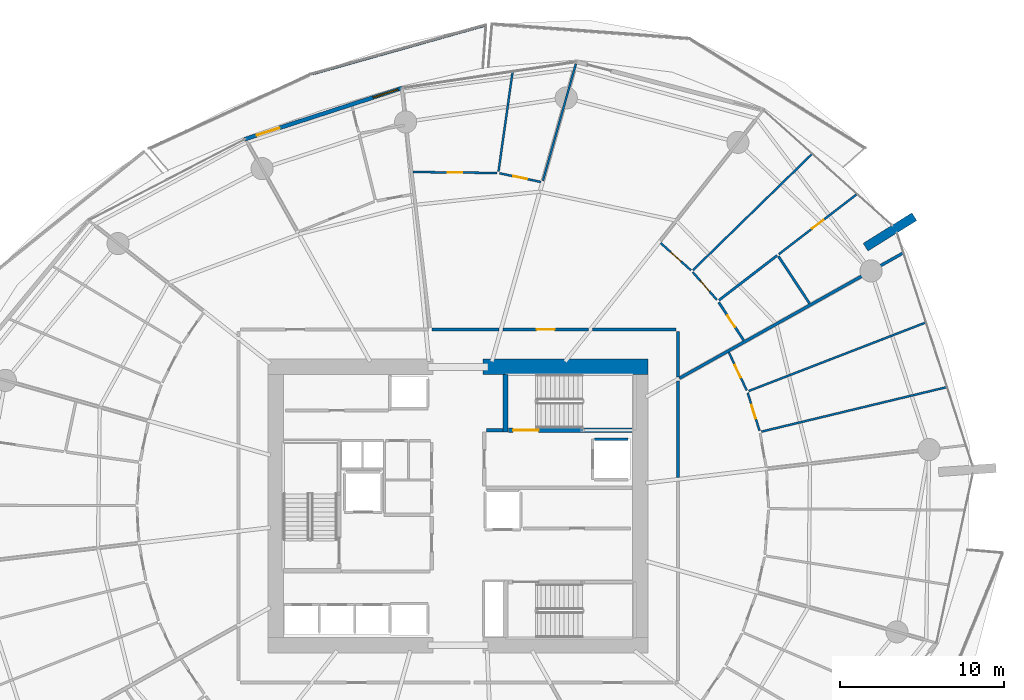
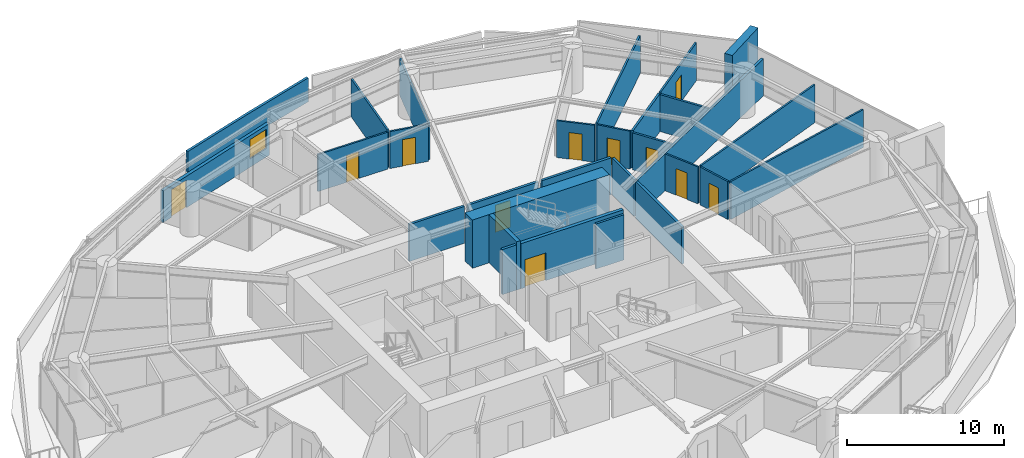
# One storey, part 24 of 32: 29 walls, 11 doors, 1 window, 12 openings.
"""IFC4 building model written with IfcOpenShell, lengths in metres."""

import ifcopenshell
import ifcopenshell.guid

model = None  # the IFC model being written
_history = None  # IfcOwnerHistory: only IFC2X3 demands one
_inside = {}  # id of a spatial element -> (the spatial element, [elements in it])
_under = {}  # id of a project, library or spatial element -> (it, [spatial elements below it])
_declared = {}  # id of a project -> (the project, [libraries it declares])
_typed = {}  # id of a type object -> (the type object, [elements of that type])
_made_of = {}  # id of a material, layer set ... -> (it, [elements and type objects made of it])


def new_model(schema):
    """Start an empty IFC model of exactly this schema.

    Asked for "IFC4X3", IfcOpenShell would pick the latest addendum, in which some entities
    have other attributes; the version numbers below select the first issue.
    IFC2X3 requires an IfcOwnerHistory on every rooted entity: one is made here for all.
    """
    global model, _history
    if schema == "IFC4X3":
        model = ifcopenshell.file(schema_version=(4, 3, 0, 0))
    else:
        model = ifcopenshell.file(schema=schema)
    _inside.clear()
    _under.clear()
    _declared.clear()
    _typed.clear()
    _made_of.clear()
    _history = None
    if model.schema == "IFC2X3":
        org = make("IfcOrganization", Name="unknown")
        user = make(
            "IfcPersonAndOrganization",
            ThePerson=make("IfcPerson", FamilyName="unknown"),
            TheOrganization=org,
        )
        app = make(
            "IfcApplication",
            ApplicationDeveloper=org,
            Version="unknown",
            ApplicationFullName="unknown",
            ApplicationIdentifier="unknown",
        )
        _history = make(
            "IfcOwnerHistory",
            OwningUser=user,
            OwningApplication=app,
            ChangeAction="ADDED",
            CreationDate=0,
        )
    return model


def make(cls, **values):
    """One entity of the class cls with the attributes given. An attribute that is None is left unset."""
    return model.create_entity(
        cls, **{name: value for name, value in values.items() if value is not None}
    )


def rooted(cls, **values):
    """An entity with a GlobalId (a new one), such as an element, a storey or a relation."""
    return make(cls, GlobalId=ifcopenshell.guid.new(), OwnerHistory=_history, **values)


def si_unit(unit_type, name, prefix=None):
    """IfcSIUnit, for example si_unit("LENGTHUNIT", "METRE", prefix="MILLI")."""
    return make("IfcSIUnit", UnitType=unit_type, Prefix=prefix, Name=name)


def assignment(units):
    """IfcUnitAssignment: the units of a project."""
    return None if units is None else make("IfcUnitAssignment", Units=units)


def point(xyz):
    """IfcCartesianPoint."""
    return None if xyz is None else make("IfcCartesianPoint", Coordinates=xyz)


def direction(xyz):
    """IfcDirection."""
    return None if xyz is None else make("IfcDirection", DirectionRatios=xyz)


def frame(location, z_axis=None, x_axis=None):
    """IfcAxis2Placement3D, a coordinate frame: its origin and axes. An axis left out is left unset."""
    return make(
        "IfcAxis2Placement3D",
        Location=point(location),
        Axis=direction(z_axis),
        RefDirection=direction(x_axis),
    )


def frame_2d(location, x_axis=None):
    """IfcAxis2Placement2D, a coordinate frame in the plane: its origin and x axis."""
    return make(
        "IfcAxis2Placement2D", Location=point(location), RefDirection=direction(x_axis)
    )


def origin():
    """The frame at (0, 0, 0) with its axes left unset."""
    return frame((0.0, 0.0, 0.0))


def place(relative_to, where):
    """IfcLocalPlacement: puts the frame where relative to a parent placement (None: the world)."""
    return make(
        "IfcLocalPlacement", PlacementRelTo=relative_to, RelativePlacement=where
    )


def context(
    kind, dimensions, precision=None, world=None, true_north=None, identifier=None
):
    """IfcGeometricRepresentationContext, for example the 3D "Model" context."""
    return make(
        "IfcGeometricRepresentationContext",
        ContextIdentifier=identifier,
        ContextType=kind,
        CoordinateSpaceDimension=dimensions,
        Precision=precision,
        WorldCoordinateSystem=world,
        TrueNorth=true_north,
    )


def subcontext(parent, identifier, kind, view, scale=None):
    """IfcGeometricRepresentationSubContext, for example "Body" below "Model"."""
    return make(
        "IfcGeometricRepresentationSubContext",
        ContextIdentifier=identifier,
        ContextType=kind,
        ParentContext=parent,
        TargetScale=scale,
        TargetView=view,
    )


def project(units=None, contexts=None):
    """IfcProject with its units and contexts."""
    return rooted(
        "IfcProject",
        Name="project",
        RepresentationContexts=contexts,
        UnitsInContext=assignment(units),
    )


def spatial(cls, under=None, at=None, **own):
    """A site, building, storey or space (cls), placed at a placement, below another one or the project."""
    s = rooted(cls, ObjectPlacement=at, **own)
    if under is not None:
        _under.setdefault(under.id(), (under, []))[1].append(s)
    return s


def polyline(points):
    """IfcPolyline through the points."""
    return make("IfcPolyline", Points=[point(p) for p in points])


def profile(cls, at=None, kind="AREA", **sizes):
    """A parametric profile (cls). Its sizes go by their IFC names, for example OverallWidth=200.0."""
    return make(cls, ProfileType=kind, Position=at, **sizes)


def rectangle(**sizes):
    """IfcRectangleProfileDef."""
    return profile("IfcRectangleProfileDef", **sizes)


def outline(outer, holes=None, kind="AREA"):
    """IfcArbitraryClosedProfileDef: a profile drawn as a closed curve; with holes, ...WithVoids."""
    if holes is None:
        return make("IfcArbitraryClosedProfileDef", ProfileType=kind, OuterCurve=outer)
    return make(
        "IfcArbitraryProfileDefWithVoids",
        ProfileType=kind,
        OuterCurve=outer,
        InnerCurves=holes,
    )


def extrude(swept, where, along, depth):
    """IfcExtrudedAreaSolid: the profile swept, set in the frame where, extruded along a direction by depth."""
    return make(
        "IfcExtrudedAreaSolid",
        SweptArea=swept,
        Position=where,
        ExtrudedDirection=direction(along),
        Depth=depth,
    )


def shape(context_of_items, identifier, shape_type, items):
    """IfcShapeRepresentation: the items that make up one representation, for example the "Body"."""
    return make(
        "IfcShapeRepresentation",
        ContextOfItems=context_of_items,
        RepresentationIdentifier=identifier,
        RepresentationType=shape_type,
        Items=items,
    )


def material(Name=None, Category=None):
    """IfcMaterial."""
    return make("IfcMaterial", Name=Name, Category=Category)


def layer(
    of_material, thickness, ventilated=None, Name=None, Category=None, Priority=None
):
    """IfcMaterialLayer: one layer of a wall or slab, of a material (None: an air gap)."""
    return make(
        "IfcMaterialLayer",
        Material=of_material,
        LayerThickness=thickness,
        IsVentilated=ventilated,
        Name=Name,
        Category=Category,
        Priority=Priority,
    )


def layer_set(layers, Name=None):
    """IfcMaterialLayerSet."""
    return make("IfcMaterialLayerSet", MaterialLayers=layers, LayerSetName=Name)


def made_of(thing, what):
    """Note that an element or type object is made of a material, layer set ...; save() writes the relation."""
    if what is not None:
        _made_of.setdefault(what.id(), (what, []))[1].append(thing)
    return thing


def type_object(cls, material=None, **own):
    """A type object (cls), such as IfcWallType, which elements share."""
    return made_of(rooted(cls, **own), material)


def element(
    cls,
    number,
    at=None,
    inside=None,
    cuts=None,
    type_object=None,
    material=None,
    context=None,
    identifier="Body",
    shape_type=None,
    held_by="IfcProductDefinitionShape",
    body=None,
    shapes=None,
    **own,
):
    """One element of the class cls, such as IfcWall. Its Tag is "e" and its number.

    at: its placement. inside: the storey or other place that contains it. cuts: it is an
    opening in that element (IfcRelVoidsElement). A single representation is given by context,
    identifier, shape_type and body (its items); several are given by shapes. held_by: the class
    of the entity that holds the representations. save() writes the other relations.
    """
    e = rooted(cls, Tag="e%d" % number, ObjectPlacement=at, **own)
    if body is not None:
        shapes = [shape(context, identifier, shape_type, body)]
    if shapes is not None:
        e.Representation = make(held_by, Representations=shapes)
    if inside is not None:
        _inside.setdefault(inside.id(), (inside, []))[1].append(e)
    if cuts is not None:
        rooted(
            "IfcRelVoidsElement", RelatingBuildingElement=cuts, RelatedOpeningElement=e
        )
    if type_object is not None:
        _typed.setdefault(type_object.id(), (type_object, []))[1].append(e)
    return made_of(e, material)


def fill(opening, filler):
    """IfcRelFillsElement: the door or window that sits in an opening."""
    return rooted(
        "IfcRelFillsElement",
        RelatingOpeningElement=opening,
        RelatedBuildingElement=filler,
    )


def aggregate(whole, parts):
    """IfcRelAggregates: a whole, such as a stair, and the parts it consists of."""
    return rooted("IfcRelAggregates", RelatingObject=whole, RelatedObjects=parts)


def save(model, path):
    """Write the relations noted so far, then the file.

    IfcRelAggregates (storeys below a building ...), IfcRelContainedInSpatialStructure (elements
    in a storey), IfcRelDefinesByType, IfcRelAssociatesMaterial and IfcRelDeclares: one each for
    every whole, place, type object, material and project.
    """
    for whole, parts in _under.values():
        aggregate(whole, parts)
    for where, things in _inside.values():
        rooted(
            "IfcRelContainedInSpatialStructure",
            RelatedElements=things,
            RelatingStructure=where,
        )
    for kind, things in _typed.values():
        rooted("IfcRelDefinesByType", RelatedObjects=things, RelatingType=kind)
    for what, things in _made_of.values():
        rooted("IfcRelAssociatesMaterial", RelatedObjects=things, RelatingMaterial=what)
    for by, libraries in _declared.values():
        rooted("IfcRelDeclares", RelatingContext=by, RelatedDefinitions=libraries)
    model.write(path)


model = new_model("IFC4")

# Units and contexts
model_context = context("Model", 3, precision=1e-05, world=origin(), true_north=direction((0.0, 1.0)))
body_context = subcontext(model_context, "Body", "Model", "MODEL_VIEW")
ifc_project = project(units=[si_unit("LENGTHUNIT", "METRE"), si_unit("AREAUNIT", "SQUARE_METRE"), si_unit("VOLUMEUNIT", "CUBIC_METRE"), si_unit("PLANEANGLEUNIT", "RADIAN"), si_unit("MASSUNIT", "GRAM", prefix="KILO")], contexts=[model_context])

# Site, building, storey
site_placement = place(None, origin())
site = spatial("IfcSite", under=ifc_project, at=site_placement, CompositionType="ELEMENT")
building_placement = place(site_placement, origin())
building = spatial("IfcBuilding", under=site, at=building_placement, Name="Kazma Halo Residences", CompositionType="ELEMENT")
storey_placement = place(building_placement, frame((0.0, 0.0, 63.89990234375)))
storey = spatial("IfcBuildingStorey", under=building, at=storey_placement, Name="L15", CompositionType="ELEMENT", Elevation=63.89990234375)

# Walls
ifc_material_1 = material(Name="White Concrete C50/60 Balustrade", Category="concrete")
ifc_layer_1 = layer(ifc_material_1, 0.179931640625)
ifc_layer_set_1 = layer_set([ifc_layer_1], Name="White Concrete C50/60 Balustrade")
wall_type_1 = type_object("IfcWallType", Name="WL-BAL-WAVE-180", PredefinedType="PARAPET", material=ifc_layer_set_1)
wall_1_placement = place(storey_placement, frame((50.125732421875, 71.298583984375, 0.0), z_axis=(0.0, 0.0, 1.0), x_axis=(-0.962607038131, -0.270901624471, 0.0)))
element("IfcWall", 1, at=wall_1_placement, inside=storey, type_object=wall_type_1, Name="L15 white wave balustrade wall NNW.1", PredefinedType="PARAPET", context=body_context, shape_type="SweptSolid", body=[
    extrude(outline(polyline([(0.0, 0.0), (10.964111328125, 0.0), (10.96435546875, 1.632080078125), (5.482177734375, 1.798095703125), (0.0, 1.860107421875), (0.0, 0.0)])), frame((0.0, 0.08984375, 0.0), z_axis=(0.0, -1.0, 0.0), x_axis=(1.0, 0.0, 0.0)), (0.0, 0.0, 1.0), 0.179931640625),
])
ifc_material_2 = material(Name="Pale Concrete C60/75", Category="concrete")
ifc_layer_2 = layer(ifc_material_2, 0.550048828125)
ifc_layer_set_2 = layer_set([ifc_layer_2], Name="Pale Concrete C60/75")
wall_type_2 = type_object("IfcWallType", Name="WL-BLADE-550", PredefinedType="SOLIDWALL", material=ifc_layer_set_2)
wall_2_placement = place(storey_placement, frame((73.229736328125, 57.765380859375, 0.0), z_axis=(0.0, 0.0, 1.0), x_axis=(0.848053161125, 0.529911158502, 0.0)))
element("IfcWall", 2, at=wall_2_placement, inside=storey, type_object=wall_type_2, Name="L15 pale concrete structural blade fin wall BW-01", PredefinedType="SOLIDWALL", context=body_context, shape_type="SweptSolid", body=[
    extrude(rectangle(XDim=3.5, YDim=0.550048828125, at=frame_2d((1.75, 0.0))), origin(), (0.0, 0.0, 1.0), 3.75),
])
ifc_material_3 = material(Name="Concrete C80/95", Category="concrete")
ifc_layer_3 = layer(ifc_material_3, 0.949951171875)
ifc_layer_set_3 = layer_set([ifc_layer_3], Name="Concrete C80/95")
wall_type_3 = type_object("IfcWallType", Name="WL-CORE-950", PredefinedType="SHEAR", material=ifc_layer_set_3)
wall_3_placement = place(storey_placement, frame((49.949951171875, 50.47509765625, 0.0), z_axis=(0.0, 0.0, 1.0), x_axis=(1.0, 0.0, 0.0)))
element("IfcWall", 3, at=wall_3_placement, inside=storey, type_object=wall_type_3, Name="L15 central core shear wall NE", PredefinedType="SHEAR", context=body_context, shape_type="SweptSolid", body=[
    extrude(rectangle(XDim=10.050048828125, YDim=0.949951171875, at=frame_2d((5.02490234375, 0.0))), origin(), (0.0, 0.0, 1.0), 3.75),
])
ifc_material_4 = material(Name="Concrete C60/75", Category="concrete")
ifc_layer_4 = layer(ifc_material_4, 0.280029296875)
ifc_layer_set_4 = layer_set([ifc_layer_4], Name="Concrete C60/75")
wall_type_4 = type_object("IfcWallType", Name="WL-CORE-ST-280", PredefinedType="SHEAR", material=ifc_layer_set_4)
wall_4_placement = place(storey_placement, frame((51.31005859375, 46.5, 0.0), z_axis=(0.0, 0.0, 1.0), x_axis=(0.0, 1.0, 0.0)))
element("IfcWall", 4, at=wall_4_placement, inside=storey, type_object=wall_type_4, Name="L15 stairwell bearing wall ST02-W", PredefinedType="SHEAR", context=body_context, shape_type="SweptSolid", body=[
    extrude(rectangle(XDim=3.5, YDim=0.280029296875, at=frame_2d((1.75, 0.0))), origin(), (0.0, 0.0, 1.0), 3.75),
])
ifc_material_5 = material(Name="Acoustic Twin-Stud Gypsum")
ifc_layer_5 = layer(ifc_material_5, 0.179931640625)
ifc_layer_set_5 = layer_set([ifc_layer_5], Name="Acoustic Twin-Stud Gypsum")
wall_type_5 = type_object("IfcWallType", Name="WL-DEM-180", PredefinedType="PARTITIONING", material=ifc_layer_set_5)
wall_5_placement = place(storey_placement, frame((61.89599609375, 49.781982421875, 0.0), z_axis=(0.0, 0.0, 1.0), x_axis=(0.872493215695, 0.488626225828, 0.0)))
element("IfcWall", 5, at=wall_5_placement, inside=storey, type_object=wall_type_5, Name="L15 apartment demising radial wall 00", PredefinedType="PARTITIONING", context=body_context, shape_type="SweptSolid", body=[
    extrude(rectangle(XDim=15.612060546875, YDim=0.179931640625, at=frame_2d((7.80615234375, 0.0))), origin(), (0.0, 0.0, 1.0), 2.8671875),
])
wall_6_placement = place(storey_placement, frame((61.800048828125, 43.75341796875, 0.0), z_axis=(0.0, 0.0, 1.0), x_axis=(0.0, 1.0, 0.0)))
element("IfcWall", 6, at=wall_6_placement, inside=storey, type_object=wall_type_5, Name="L15 Apartment 3 inner wall 15", PredefinedType="PARTITIONING", context=body_context, shape_type="SweptSolid", body=[
    extrude(rectangle(XDim=5.85498046875, YDim=0.179931640625, at=frame_2d((2.927490234375, 0.0))), origin(), (0.0, 0.0, 1.0), 2.8671875),
])

# Wall, opening, door
wall_7_placement = place(storey_placement, frame((56.3544921875, 52.75, 0.0), z_axis=(0.0, 0.0, 1.0), x_axis=(-1.0, 0.0, 0.0)))
wall_7 = element("IfcWall", 7, at=wall_7_placement, inside=storey, type_object=wall_type_5, Name="L15 Apartment 4 entrance corridor wall", PredefinedType="PARTITIONING", context=body_context, shape_type="SweptSolid", body=[
    extrude(rectangle(XDim=5.20263671875, YDim=0.179931640625, at=frame_2d((2.601318359375, 0.0))), origin(), (0.0, 0.0, 1.0), 2.8671875),
])
opening_1_placement = place(wall_7_placement, frame((2.051513671875, 0.0, 0.0)))
opening_1 = element("IfcOpeningElement", 8, at=opening_1_placement, cuts=wall_7, Name="Opening DA-1100", PredefinedType="OPENING", context=body_context, shape_type="SweptSolid", body=[
    extrude(rectangle(XDim=1.10009765625, YDim=2.10009765625, at=frame_2d((0.550048828125, 1.050048828125))), frame((0.0, 0.099853515625, 0.0), z_axis=(0.0, -1.0, 0.0), x_axis=(1.0, 0.0, 0.0)), (0.0, 0.0, 1.0), 0.199951171875),
])
ifc_material_6 = material(Name="Acoustic Walnut Fire Leaf")
door_type_1 = type_object("IfcDoorType", Name="DR-FD60-1100", OperationType="NOTDEFINED", PredefinedType="DOOR", material=ifc_material_6)
door_1_placement = place(opening_1_placement, origin())
door_1 = element("IfcDoor", 9, at=door_1_placement, inside=storey, type_object=door_type_1, Name="L15 Apartment 4 entrance fire door", OperationType="SINGLE_SWING_RIGHT", OverallHeight=2.10009765625, OverallWidth=1.10009765625, PredefinedType="DOOR", context=body_context, shape_type="SweptSolid", body=[
    extrude(rectangle(XDim=1.10009765625, YDim=2.10009765625, at=frame_2d((0.550048828125, 1.050048828125))), frame((0.0, 0.02490234375, 0.0), z_axis=(0.0, -1.0, 0.0), x_axis=(1.0, 0.0, 0.0)), (0.0, 0.0, 1.0), 0.050048828125),
])
fill(opening_1, door_1)

# Walls
wall_8_placement = place(storey_placement, frame((61.800048828125, 49.848388671875, 0.0), z_axis=(0.0, 0.0, 1.0), x_axis=(0.0, 1.0, 0.0)))
element("IfcWall", 10, at=wall_8_placement, inside=storey, type_object=wall_type_5, Name="L15 Apartment 4 inner wall 0", PredefinedType="PARTITIONING", context=body_context, shape_type="SweptSolid", body=[
    extrude(rectangle(XDim=2.781494140625, YDim=0.179931640625, at=frame_2d((1.390625, 0.0))), origin(), (0.0, 0.0, 1.0), 2.8671875),
])
wall_9_placement = place(storey_placement, frame((61.679931640625, 52.75, 0.0), z_axis=(0.0, 0.0, 1.0), x_axis=(-1.0, 0.0, 0.0)))
element("IfcWall", 11, at=wall_9_placement, inside=storey, type_object=wall_type_5, Name="L15 Apartment 4 inner wall 0", PredefinedType="PARTITIONING", context=body_context, shape_type="SweptSolid", body=[
    extrude(rectangle(XDim=5.08544921875, YDim=0.179931640625, at=frame_2d((2.542724609375, 0.0))), origin(), (0.0, 0.0, 1.0), 2.8671875),
])
wall_10_placement = place(storey_placement, frame((50.911865234375, 52.75, 0.0), z_axis=(0.0, 0.0, 1.0), x_axis=(-1.0, 0.0, 0.0)))
element("IfcWall", 12, at=wall_10_placement, inside=storey, type_object=wall_type_5, Name="L15 Apartment 4 inner wall 2", PredefinedType="PARTITIONING", context=body_context, shape_type="SweptSolid", body=[
    extrude(rectangle(XDim=4.064208984375, YDim=0.179931640625, at=frame_2d((2.0322265625, 0.0))), origin(), (0.0, 0.0, 1.0), 2.8671875),
])

# Wall, openings, door, window
ifc_material_7 = material(Name="Insulated Pale-Metal Composite Wall")
ifc_layer_6 = layer(ifc_material_7, 0.239990234375)
ifc_layer_set_6 = layer_set([ifc_layer_6], Name="Insulated Pale-Metal Composite Wall")
wall_type_6 = type_object("IfcWallType", Name="WL-EXT-HOST-240", PredefinedType="SOLIDWALL", material=ifc_layer_set_6)
wall_11_placement = place(storey_placement, frame((45.0361328125, 67.45849609375, 0.0), z_axis=(0.0, 0.0, 1.0), x_axis=(-0.951054679225, -0.309022648238, 0.0)))
wall_11 = element("IfcWall", 13, at=wall_11_placement, inside=storey, type_object=wall_type_6, Name="L15 exterior terrace-access wall B04", PredefinedType="SOLIDWALL", context=body_context, shape_type="SweptSolid", body=[
    extrude(rectangle(XDim=10.0966796875, YDim=0.239990234375, at=frame_2d((5.04833984375, 0.0))), origin(), (0.0, 0.0, 1.0), 2.4501953125),
])
opening_2_placement = place(wall_11_placement, frame((7.876708984375, 0.0, 0.0)))
opening_2 = element("IfcOpeningElement", 14, at=opening_2_placement, cuts=wall_11, Name="Opening DTR-1600", PredefinedType="OPENING", context=body_context, shape_type="SweptSolid", body=[
    extrude(rectangle(XDim=1.449951171875, YDim=2.14990234375, at=frame_2d((0.72509765625, 1.074951171875))), frame((0.0, 0.1298828125, 0.0), z_axis=(0.0, -1.0, 0.0), x_axis=(1.0, 0.0, 0.0)), (0.0, 0.0, 1.0), 0.260009765625),
])
opening_3_placement = place(wall_11_placement, frame((0.280029296875, 0.0, 0.64990234375)))
opening_3 = element("IfcOpeningElement", 15, at=opening_3_placement, cuts=wall_11, Name="Opening W-1800", PredefinedType="OPENING", context=body_context, shape_type="SweptSolid", body=[
    extrude(rectangle(XDim=1.60009765625, YDim=1.5, at=frame_2d((0.800048828125, 0.75))), frame((0.0, 0.1298828125, 0.0), z_axis=(0.0, -1.0, 0.0), x_axis=(1.0, 0.0, 0.0)), (0.0, 0.0, 1.0), 0.260009765625),
])
ifc_material_8 = material(Name="Aluminium AW-6063 T6 Double-Glazed Terrace Door", Category="aluminium")
door_type_2 = type_object("IfcDoorType", Name="DR-EXT-TERR-1600", OperationType="NOTDEFINED", PredefinedType="DOOR", material=ifc_material_8)
door_2_placement = place(opening_2_placement, origin())
door_2 = element("IfcDoor", 16, at=door_2_placement, inside=storey, type_object=door_type_2, Name="L15 B04 balcony terrace door", OperationType="DOUBLE_DOOR_SLIDING", OverallHeight=2.14990234375, OverallWidth=1.449951171875, PredefinedType="DOOR", context=body_context, shape_type="SweptSolid", body=[
    extrude(rectangle(XDim=1.449951171875, YDim=2.14990234375, at=frame_2d((0.72509765625, 1.074951171875))), frame((0.0, 0.02490234375, 0.0), z_axis=(0.0, -1.0, 0.0), x_axis=(1.0, 0.0, 0.0)), (0.0, 0.0, 1.0), 0.050048828125),
])
fill(opening_2, door_2)
ifc_material_9 = material(Name="Clear Triple-Silver Low-E Glass in Aluminium AW-6063 T6 Frame", Category="aluminium")
window_type = type_object("IfcWindowType", Name="WIN-RES-1800", PartitioningType="DOUBLE_PANEL_VERTICAL", PredefinedType="WINDOW", material=ifc_material_9)
window_placement = place(opening_3_placement, origin())
window = element("IfcWindow", 17, at=window_placement, inside=storey, type_object=window_type, Name="L15 B04 apartment window", OverallHeight=1.5, OverallWidth=1.60009765625, PartitioningType="SINGLE_PANEL", PredefinedType="WINDOW", context=body_context, shape_type="SweptSolid", body=[
    extrude(rectangle(XDim=1.60009765625, YDim=1.5, at=frame_2d((0.800048828125, 0.75))), frame((0.0, 0.030029296875, 0.0), z_axis=(0.0, -1.0, 0.0), x_axis=(1.0, 0.0, 0.0)), (0.0, 0.0, 1.0), 0.06005859375),
])
fill(opening_3, window)

# Walls
ifc_material_10 = material(Name="Fire-Rated Blockwork Masonry", Category="masonry")
ifc_layer_7 = layer(ifc_material_10, 0.199951171875)
ifc_layer_set_7 = layer_set([ifc_layer_7], Name="Fire-Rated Blockwork Masonry")
wall_type_7 = type_object("IfcWallType", Name="WL-FLB-200", PredefinedType="PARTITIONING", material=ifc_layer_set_7)
wall_12_placement = place(storey_placement, frame((56.719970703125, 46.080078125, 0.0), z_axis=(0.0, 0.0, 1.0), x_axis=(1.0, 0.0, 0.0)))
element("IfcWall", 18, at=wall_12_placement, inside=storey, type_object=wall_type_7, Name="L15 lift shaft FL-02 side wall N", PredefinedType="PARTITIONING", context=body_context, shape_type="SweptSolid", body=[
    extrude(rectangle(XDim=2.06005859375, YDim=0.159912109375, at=frame_2d((1.030029296875, 0.0))), origin(), (0.0, 0.0, 1.0), 3.5),
])
wall_13_placement = place(storey_placement, frame((50.139892578125, 46.6201171875, 0.0), z_axis=(0.0, 0.0, 1.0), x_axis=(1.0, 0.0, 0.0)))
element("IfcWall", 19, at=wall_13_placement, inside=storey, type_object=wall_type_7, Name="L15 east firefighting lobby north closure wall", PredefinedType="PARTITIONING", context=body_context, shape_type="SweptSolid", body=[
    extrude(rectangle(XDim=1.02001953125, YDim=0.199951171875, at=frame_2d((0.510009765625, 0.0))), origin(), (0.0, 0.0, 1.0), 3.5),
])
ifc_material_11 = material(Name="Gypsum Plasterboard Partition")
ifc_layer_8 = layer(ifc_material_11, 0.125)
ifc_layer_set_8 = layer_set([ifc_layer_8], Name="Gypsum Plasterboard Partition")
wall_type_8 = type_object("IfcWallType", Name="WL-PART-125", PredefinedType="PARTITIONING", material=ifc_layer_set_8)
wall_14_placement = place(storey_placement, frame((66.88623046875, 46.5341796875, 0.0), z_axis=(0.0, 0.0, 1.0), x_axis=(0.972368393799, 0.233451722507, 0.0)))
element("IfcWall", 20, at=wall_14_placement, inside=storey, type_object=wall_type_8, Name="L15 Apartment 3 bay wall 1 15", PredefinedType="PARTITIONING", context=body_context, shape_type="SweptSolid", body=[
    extrude(rectangle(XDim=11.60498046875, YDim=0.125, at=frame_2d((5.802490234375, 0.0))), origin(), (0.0, 0.0, 1.0), 2.940185546875),
])
wall_15_placement = place(storey_placement, frame((66.114501953125, 49.008056640625, 0.0), z_axis=(0.0, 0.0, 1.0), x_axis=(0.932641955578, 0.360803246514, 0.0)))
element("IfcWall", 21, at=wall_15_placement, inside=storey, type_object=wall_type_8, Name="L15 Apartment 3 bay wall 2 15", PredefinedType="PARTITIONING", context=body_context, shape_type="SweptSolid", body=[
    extrude(rectangle(XDim=11.555908203125, YDim=0.125, at=frame_2d((5.77783203125, 0.0))), origin(), (0.0, 0.0, 1.0), 2.940185546875),
])

# Wall, opening, door
wall_16_placement = place(storey_placement, frame((66.77490234375, 46.589599609375, 0.0), z_axis=(0.0, 0.0, 1.0), x_axis=(-0.297792299564, 0.954630685826, 0.0)))
wall_16 = element("IfcWall", 22, at=wall_16_placement, inside=storey, type_object=wall_type_8, Name="L15 Apartment 3 North Dressing Wardrobe hall wall", PredefinedType="PARTITIONING", context=body_context, shape_type="SweptSolid", body=[
    extrude(rectangle(XDim=2.41943359375, YDim=0.125, at=frame_2d((1.209716796875, 0.0))), origin(), (0.0, 0.0, 1.0), 2.940185546875),
])
opening_4_placement = place(wall_16_placement, frame((0.78466796875, 0.0, 0.0)))
opening_4 = element("IfcOpeningElement", 23, at=opening_4_placement, cuts=wall_16, Name="Opening DB-900", PredefinedType="OPENING", context=body_context, shape_type="SweptSolid", body=[
    extrude(rectangle(XDim=0.85009765625, YDim=2.06005859375, at=frame_2d((0.425048828125, 1.030029296875))), frame((0.0, 0.072509765625, 0.0), z_axis=(0.0, -1.0, 0.0), x_axis=(1.0, 0.0, 0.0)), (0.0, 0.0, 1.0), 0.14501953125),
])
ifc_material_12 = material(Name="Moisture-Sealed Timber Leaf", Category="wood")
door_type_3 = type_object("IfcDoorType", Name="DR-BTH-900", OperationType="NOTDEFINED", PredefinedType="DOOR", material=ifc_material_12)
door_3_placement = place(opening_4_placement, origin())
door_3 = element("IfcDoor", 24, at=door_3_placement, inside=storey, type_object=door_type_3, Name="L15 Apartment 3 North Dressing Wardrobe door", OperationType="SINGLE_SWING_LEFT", OverallHeight=2.06005859375, OverallWidth=0.85009765625, PredefinedType="DOOR", context=body_context, shape_type="SweptSolid", body=[
    extrude(rectangle(XDim=0.85009765625, YDim=2.06005859375, at=frame_2d((0.425048828125, 1.030029296875))), frame((0.0, 0.02490234375, 0.0), z_axis=(0.0, -1.0, 0.0), x_axis=(1.0, 0.0, 0.0)), (0.0, 0.0, 1.0), 0.050048828125),
])
fill(opening_4, door_3)

wall_17_placement = place(storey_placement, frame((65.99658203125, 49.048095703125, 0.0), z_axis=(0.0, 0.0, 1.0), x_axis=(-0.425774166793, 0.904829463983, 0.0)))
wall_17 = element("IfcWall", 25, at=wall_17_placement, inside=storey, type_object=wall_type_8, Name="L15 Apartment 3 South Master Bedroom hall wall", PredefinedType="PARTITIONING", context=body_context, shape_type="SweptSolid", body=[
    extrude(rectangle(XDim=2.570556640625, YDim=0.125, at=frame_2d((1.28515625, 0.0))), origin(), (0.0, 0.0, 1.0), 2.8671875),
])
opening_5_placement = place(wall_17_placement, frame((0.8603515625, 0.0, 0.0)))
opening_5 = element("IfcOpeningElement", 26, at=opening_5_placement, cuts=wall_17, Name="Opening DB-900", PredefinedType="OPENING", context=body_context, shape_type="SweptSolid", body=[
    extrude(rectangle(XDim=0.85009765625, YDim=2.06005859375, at=frame_2d((0.425048828125, 1.030029296875))), frame((0.0, 0.072509765625, 0.0), z_axis=(0.0, -1.0, 0.0), x_axis=(1.0, 0.0, 0.0)), (0.0, 0.0, 1.0), 0.14501953125),
])
door_4_placement = place(opening_5_placement, origin())
door_4 = element("IfcDoor", 27, at=door_4_placement, inside=storey, type_object=door_type_3, Name="L15 Apartment 3 South Master Bedroom door", OperationType="SINGLE_SWING_RIGHT", OverallHeight=2.06005859375, OverallWidth=0.85009765625, PredefinedType="DOOR", context=body_context, shape_type="SweptSolid", body=[
    extrude(rectangle(XDim=0.85009765625, YDim=2.06005859375, at=frame_2d((0.425048828125, 1.030029296875))), frame((0.0, 0.02490234375, 0.0), z_axis=(0.0, -1.0, 0.0), x_axis=(1.0, 0.0, 0.0)), (0.0, 0.0, 1.0), 0.050048828125),
])
fill(opening_5, door_4)

wall_18_placement = place(storey_placement, frame((67.94921875, 57.336669921875, 0.0), z_axis=(0.0, 0.0, 1.0), x_axis=(0.792800135679, 0.609481701832, 0.0)))
wall_18 = element("IfcWall", 28, at=wall_18_placement, inside=storey, type_object=wall_type_8, Name="L15 Apartment 4 Household Store Room partition wall", PredefinedType="PARTITIONING", context=body_context, shape_type="SweptSolid", body=[
    extrude(rectangle(XDim=5.975830078125, YDim=0.125, at=frame_2d((2.98779296875, 0.0))), origin(), (0.0, 0.0, 1.0), 2.940185546875),
])
opening_6_placement = place(wall_18_placement, frame((2.562744140625, 0.0, 0.0)))
opening_6 = element("IfcOpeningElement", 29, at=opening_6_placement, cuts=wall_18, Name="Opening DB-900", PredefinedType="OPENING", context=body_context, shape_type="SweptSolid", body=[
    extrude(rectangle(XDim=0.85009765625, YDim=2.06005859375, at=frame_2d((0.425048828125, 1.030029296875))), frame((0.0, 0.072509765625, 0.0), z_axis=(0.0, -1.0, 0.0), x_axis=(1.0, 0.0, 0.0)), (0.0, 0.0, 1.0), 0.14501953125),
])
door_5_placement = place(opening_6_placement, origin())
door_5 = element("IfcDoor", 30, at=door_5_placement, inside=storey, type_object=door_type_3, Name="L15 Apartment 4 Household Store Room door", OperationType="SINGLE_SWING_LEFT", OverallHeight=2.06005859375, OverallWidth=0.85009765625, PredefinedType="DOOR", context=body_context, shape_type="SweptSolid", body=[
    extrude(rectangle(XDim=0.85009765625, YDim=2.06005859375, at=frame_2d((0.425048828125, 1.030029296875))), frame((0.0, 0.02490234375, 0.0), z_axis=(0.0, -1.0, 0.0), x_axis=(1.0, 0.0, 0.0)), (0.0, 0.0, 1.0), 0.050048828125),
])
fill(opening_6, door_5)

# Wall
wall_19_placement = place(storey_placement, frame((62.724853515625, 56.36767578125, 0.0), z_axis=(0.0, 0.0, 1.0), x_axis=(0.715749552764, 0.698357056038, 0.0)))
element("IfcWall", 31, at=wall_19_placement, inside=storey, type_object=wall_type_8, Name="L15 Apartment 4 suite divider 0", PredefinedType="PARTITIONING", context=body_context, shape_type="SweptSolid", body=[
    extrude(rectangle(XDim=10.106689453125, YDim=0.125, at=frame_2d((5.05322265625, 0.0))), origin(), (0.0, 0.0, 1.0), 2.940185546875),
])

# Wall, opening, door
wall_20_placement = place(storey_placement, frame((64.1796875, 54.552001953125, 0.0), z_axis=(0.0, 0.0, 1.0), x_axis=(-0.654947139149, 0.75567469517, 0.0)))
wall_20 = element("IfcWall", 32, at=wall_20_placement, inside=storey, type_object=wall_type_8, Name="L15 Apartment 4 Gourmet Kitchen hall wall", PredefinedType="PARTITIONING", context=body_context, shape_type="SweptSolid", body=[
    extrude(rectangle(XDim=2.239501953125, YDim=0.125, at=frame_2d((1.11962890625, 0.0))), origin(), (0.0, 0.0, 1.0), 2.940185546875),
])
opening_7_placement = place(wall_20_placement, frame((0.694580078125, 0.0, 0.0)))
opening_7 = element("IfcOpeningElement", 33, at=opening_7_placement, cuts=wall_20, Name="Opening DB-900", PredefinedType="OPENING", context=body_context, shape_type="SweptSolid", body=[
    extrude(rectangle(XDim=0.85009765625, YDim=2.06005859375, at=frame_2d((0.425048828125, 1.030029296875))), frame((0.0, 0.072509765625, 0.0), z_axis=(0.0, -1.0, 0.0), x_axis=(1.0, 0.0, 0.0)), (0.0, 0.0, 1.0), 0.14501953125),
])
door_6_placement = place(opening_7_placement, origin())
door_6 = element("IfcDoor", 34, at=door_6_placement, inside=storey, type_object=door_type_3, Name="L15 Apartment 4 Gourmet Kitchen door", OperationType="SINGLE_SWING_RIGHT", OverallHeight=2.06005859375, OverallWidth=0.85009765625, PredefinedType="DOOR", context=body_context, shape_type="SweptSolid", body=[
    extrude(rectangle(XDim=0.85009765625, YDim=2.06005859375, at=frame_2d((0.425048828125, 1.030029296875))), frame((0.0, 0.02490234375, 0.0), z_axis=(0.0, -1.0, 0.0), x_axis=(1.0, 0.0, 0.0)), (0.0, 0.0, 1.0), 0.050048828125),
])
fill(opening_7, door_6)

wall_21_placement = place(storey_placement, frame((62.60107421875, 56.358154296875, 0.0), z_axis=(0.0, 0.0, 1.0), x_axis=(-0.743435913228, 0.66880717918, 0.0)))
wall_21 = element("IfcWall", 35, at=wall_21_placement, inside=storey, type_object=wall_type_8, Name="L15 Apartment 4 Primary Bedroom hall wall", PredefinedType="PARTITIONING", context=body_context, shape_type="SweptSolid", body=[
    extrude(rectangle(XDim=2.48291015625, YDim=0.125, at=frame_2d((1.241455078125, 0.0))), origin(), (0.0, 0.0, 1.0), 2.8671875),
])
opening_8_placement = place(wall_21_placement, frame((0.81640625, 0.0, 0.0)))
opening_8 = element("IfcOpeningElement", 36, at=opening_8_placement, cuts=wall_21, Name="Opening DB-900", PredefinedType="OPENING", context=body_context, shape_type="SweptSolid", body=[
    extrude(rectangle(XDim=0.85009765625, YDim=2.06005859375, at=frame_2d((0.425048828125, 1.030029296875))), frame((0.0, 0.072509765625, 0.0), z_axis=(0.0, -1.0, 0.0), x_axis=(1.0, 0.0, 0.0)), (0.0, 0.0, 1.0), 0.14501953125),
])
door_7_placement = place(opening_8_placement, origin())
door_7 = element("IfcDoor", 37, at=door_7_placement, inside=storey, type_object=door_type_3, Name="L15 Apartment 4 Primary Bedroom door", OperationType="SINGLE_SWING_LEFT", OverallHeight=2.06005859375, OverallWidth=0.85009765625, PredefinedType="DOOR", context=body_context, shape_type="SweptSolid", body=[
    extrude(rectangle(XDim=0.85009765625, YDim=2.06005859375, at=frame_2d((0.425048828125, 1.030029296875))), frame((0.0, 0.02490234375, 0.0), z_axis=(0.0, -1.0, 0.0), x_axis=(1.0, 0.0, 0.0)), (0.0, 0.0, 1.0), 0.050048828125),
])
fill(opening_8, door_7)

# Walls
wall_22_placement = place(storey_placement, frame((53.5869140625, 61.810302734375, 0.0), z_axis=(0.0, 0.0, 1.0), x_axis=(0.271464088879, 0.962448569249, 0.0)))
element("IfcWall", 38, at=wall_22_placement, inside=storey, type_object=wall_type_8, Name="L15 Apartment 4 radial partition 2", PredefinedType="PARTITIONING", context=body_context, shape_type="SweptSolid", body=[
    extrude(rectangle(XDim=7.38916015625, YDim=0.125, at=frame_2d((3.694580078125, 0.0))), origin(), (0.0, 0.0, 1.0), 2.8671875),
])
wall_23_placement = place(storey_placement, frame((50.8828125, 62.3701171875, 0.0), z_axis=(0.0, 0.0, 1.0), x_axis=(0.140126411414, 0.990133621702, 0.0)))
element("IfcWall", 39, at=wall_23_placement, inside=storey, type_object=wall_type_8, Name="L15 Apartment 4 mid-bay wall 2", PredefinedType="PARTITIONING", context=body_context, shape_type="SweptSolid", body=[
    extrude(rectangle(XDim=6.1240234375, YDim=0.125, at=frame_2d((3.06201171875, 0.0))), origin(), (0.0, 0.0, 1.0), 2.940185546875),
])

# Wall, opening, door
wall_24_placement = place(storey_placement, frame((53.4619140625, 61.734619140625, 0.0), z_axis=(0.0, 0.0, 1.0), x_axis=(-0.978499333356, 0.206249980902, 0.0)))
wall_24 = element("IfcWall", 40, at=wall_24_placement, inside=storey, type_object=wall_type_8, Name="L15 Apartment 4 East Bedroom hall wall", PredefinedType="PARTITIONING", context=body_context, shape_type="SweptSolid", body=[
    extrude(rectangle(XDim=2.568603515625, YDim=0.125, at=frame_2d((1.2841796875, 0.0))), origin(), (0.0, 0.0, 1.0), 2.8671875),
])
opening_9_placement = place(wall_24_placement, frame((0.859375, 0.0, 0.0)))
opening_9 = element("IfcOpeningElement", 41, at=opening_9_placement, cuts=wall_24, Name="Opening DB-900", PredefinedType="OPENING", context=body_context, shape_type="SweptSolid", body=[
    extrude(rectangle(XDim=0.85009765625, YDim=2.06005859375, at=frame_2d((0.425048828125, 1.030029296875))), frame((0.0, 0.072509765625, 0.0), z_axis=(0.0, -1.0, 0.0), x_axis=(1.0, 0.0, 0.0)), (0.0, 0.0, 1.0), 0.14501953125),
])
door_8_placement = place(opening_9_placement, origin())
door_8 = element("IfcDoor", 42, at=door_8_placement, inside=storey, type_object=door_type_3, Name="L15 Apartment 4 East Bedroom door", OperationType="SINGLE_SWING_RIGHT", OverallHeight=2.06005859375, OverallWidth=0.85009765625, PredefinedType="DOOR", context=body_context, shape_type="SweptSolid", body=[
    extrude(rectangle(XDim=0.85009765625, YDim=2.06005859375, at=frame_2d((0.425048828125, 1.030029296875))), frame((0.0, 0.02490234375, 0.0), z_axis=(0.0, -1.0, 0.0), x_axis=(1.0, 0.0, 0.0)), (0.0, 0.0, 1.0), 0.050048828125),
])
fill(opening_9, door_8)

wall_25_placement = place(storey_placement, frame((50.790283203125, 62.28173828125, 0.0), z_axis=(0.0, 0.0, 1.0), x_axis=(-0.99993505002, 0.011397181261, 0.0)))
wall_25 = element("IfcWall", 43, at=wall_25_placement, inside=storey, type_object=wall_type_8, Name="L15 Apartment 4 West Bedroom hall wall", PredefinedType="PARTITIONING", context=body_context, shape_type="SweptSolid", body=[
    extrude(rectangle(XDim=5.09814453125, YDim=0.125, at=frame_2d((2.549072265625, 0.0))), origin(), (0.0, 0.0, 1.0), 2.8671875),
])
opening_10_placement = place(wall_25_placement, frame((2.09912109375, 0.0, 0.0)))
opening_10 = element("IfcOpeningElement", 44, at=opening_10_placement, cuts=wall_25, Name="Opening DI-950", PredefinedType="OPENING", context=body_context, shape_type="SweptSolid", body=[
    extrude(rectangle(XDim=0.89990234375, YDim=2.080078125, at=frame_2d((0.449951171875, 1.0400390625))), frame((0.0, 0.072509765625, 0.0), z_axis=(0.0, -1.0, 0.0), x_axis=(1.0, 0.0, 0.0)), (0.0, 0.0, 1.0), 0.14501953125),
])
ifc_material_13 = material(Name="Timber Veneer Flush Leaf", Category="wood")
door_type_4 = type_object("IfcDoorType", Name="DR-INT-950", OperationType="NOTDEFINED", PredefinedType="DOOR", material=ifc_material_13)
door_9_placement = place(opening_10_placement, origin())
door_9 = element("IfcDoor", 45, at=door_9_placement, inside=storey, type_object=door_type_4, Name="L15 Apartment 4 West Bedroom door", OperationType="SINGLE_SWING_LEFT", OverallHeight=2.080078125, OverallWidth=0.89990234375, PredefinedType="DOOR", context=body_context, shape_type="SweptSolid", body=[
    extrude(rectangle(XDim=0.89990234375, YDim=2.080078125, at=frame_2d((0.449951171875, 1.0400390625))), frame((0.0, 0.02490234375, 0.0), z_axis=(0.0, -1.0, 0.0), x_axis=(1.0, 0.0, 0.0)), (0.0, 0.0, 1.0), 0.050048828125),
])
fill(opening_10, door_9)

ifc_material_14 = material(Name="Concrete C50/60", Category="concrete")
ifc_layer_9 = layer(ifc_material_14, 0.25)
ifc_layer_set_9 = layer_set([ifc_layer_9], Name="Concrete C50/60")
wall_type_9 = type_object("IfcWallType", Name="WL-SHF-250", PredefinedType="SOLIDWALL", material=ifc_layer_set_9)
wall_26_placement = place(storey_placement, frame((51.47998046875, 46.6201171875, 0.0), z_axis=(0.0, 0.0, 1.0), x_axis=(1.0, 0.0, 0.0)))
wall_26 = element("IfcWall", 46, at=wall_26_placement, inside=storey, type_object=wall_type_9, Name="L15 exit stair ST-02 enclosure wall", PredefinedType="SOLIDWALL", context=body_context, shape_type="SweptSolid", body=[
    extrude(rectangle(XDim=7.5400390625, YDim=0.25, at=frame_2d((3.77001953125, 0.0))), origin(), (0.0, 0.0, 1.0), 3.5),
])
opening_11_placement = place(wall_26_placement, frame((0.300048828125, 0.0, 0.0)))
opening_11 = element("IfcOpeningElement", 47, at=opening_11_placement, cuts=wall_26, Name="Opening D-ST2", PredefinedType="OPENING", context=body_context, shape_type="SweptSolid", body=[
    extrude(rectangle(XDim=1.550048828125, YDim=2.14990234375, at=frame_2d((0.77490234375, 1.074951171875))), frame((0.0, 0.135009765625, 0.0), z_axis=(0.0, -1.0, 0.0), x_axis=(1.0, 0.0, 0.0)), (0.0, 0.0, 1.0), 0.27001953125),
])
ifc_material_15 = material(Name="Fire-Rated Double Steel Leaf", Category="steel")
door_type_5 = type_object("IfcDoorType", Name="DR-FD90-1550", OperationType="NOTDEFINED", PredefinedType="DOOR", material=ifc_material_15)
door_10_placement = place(opening_11_placement, origin())
door_10 = element("IfcDoor", 48, at=door_10_placement, inside=storey, type_object=door_type_5, Name="L15 exit stair ST-02 fire door", OperationType="DOUBLE_DOOR_SINGLE_SWING", OverallHeight=2.14990234375, OverallWidth=1.550048828125, PredefinedType="DOOR", context=body_context, shape_type="SweptSolid", body=[
    extrude(rectangle(XDim=1.550048828125, YDim=2.14990234375, at=frame_2d((0.77490234375, 1.074951171875))), frame((0.0, 0.02490234375, 0.0), z_axis=(0.0, -1.0, 0.0), x_axis=(1.0, 0.0, 0.0)), (0.0, 0.0, 1.0), 0.050048828125),
])
fill(opening_11, door_10)

ifc_material_16 = material(Name="Moisture-Resistant Gypsum")
ifc_layer_10 = layer(ifc_material_16, 0.14990234375)
ifc_layer_set_10 = layer_set([ifc_layer_10], Name="Moisture-Resistant Gypsum")
wall_type_10 = type_object("IfcWallType", Name="WL-WET-150", PredefinedType="PARTITIONING", material=ifc_layer_set_10)
wall_27_placement = place(storey_placement, frame((65.81640625, 52.091796875, 0.0), z_axis=(0.0, 0.0, 1.0), x_axis=(-0.550532146696, 0.834813964578, 0.0)))
wall_27 = element("IfcWall", 49, at=wall_27_placement, inside=storey, type_object=wall_type_10, Name="L15 Apartment 4 Guest Bathroom hall wall", PredefinedType="PARTITIONING", context=body_context, shape_type="SweptSolid", body=[
    extrude(rectangle(XDim=2.775634765625, YDim=0.14990234375, at=frame_2d((1.3876953125, 0.0))), origin(), (0.0, 0.0, 1.0), 2.8671875),
])
opening_12_placement = place(wall_27_placement, frame((0.962890625, 0.0, 0.0)))
opening_12 = element("IfcOpeningElement", 50, at=opening_12_placement, cuts=wall_27, Name="Opening DB-900", PredefinedType="OPENING", context=body_context, shape_type="SweptSolid", body=[
    extrude(rectangle(XDim=0.85009765625, YDim=2.06005859375, at=frame_2d((0.425048828125, 1.030029296875))), frame((0.0, 0.0849609375, 0.0), z_axis=(0.0, -1.0, 0.0), x_axis=(1.0, 0.0, 0.0)), (0.0, 0.0, 1.0), 0.169921875),
])
door_11_placement = place(opening_12_placement, origin())
door_11 = element("IfcDoor", 51, at=door_11_placement, inside=storey, type_object=door_type_3, Name="L15 Apartment 4 Guest Bathroom door", OperationType="SINGLE_SWING_RIGHT", OverallHeight=2.06005859375, OverallWidth=0.85009765625, PredefinedType="DOOR", context=body_context, shape_type="SweptSolid", body=[
    extrude(rectangle(XDim=0.85009765625, YDim=2.06005859375, at=frame_2d((0.425048828125, 1.030029296875))), frame((0.0, 0.02490234375, 0.0), z_axis=(0.0, -1.0, 0.0), x_axis=(1.0, 0.0, 0.0)), (0.0, 0.0, 1.0), 0.050048828125),
])
fill(opening_12, door_11)

# Walls
wall_28_placement = place(storey_placement, frame((69.821044921875, 54.334716796875, 0.0), z_axis=(0.0, 0.0, 1.0), x_axis=(-0.550516877558, 0.834824033868, 0.0)))
element("IfcWall", 52, at=wall_28_placement, inside=storey, type_object=wall_type_10, Name="L15 Apartment 4 Guest Bathroom back wall", PredefinedType="PARTITIONING", context=body_context, shape_type="SweptSolid", body=[
    extrude(rectangle(XDim=3.43994140625, YDim=0.14990234375, at=frame_2d((1.719970703125, 0.0))), origin(), (0.0, 0.0, 1.0), 2.8671875),
])
wall_29_placement = place(storey_placement, frame((64.310302734375, 54.5390625, 0.0), z_axis=(0.0, 0.0, 1.0), x_axis=(0.792803030826, 0.609477935871, 0.0)))
element("IfcWall", 53, at=wall_29_placement, inside=storey, type_object=wall_type_10, Name="L15 Apartment 4 Guest Bathroom side wall", PredefinedType="PARTITIONING", context=body_context, shape_type="SweptSolid", body=[
    extrude(rectangle(XDim=4.4599609375, YDim=0.14990234375, at=frame_2d((2.22998046875, 0.0))), origin(), (0.0, 0.0, 1.0), 2.940185546875),
])

save(model, "model.ifc")
